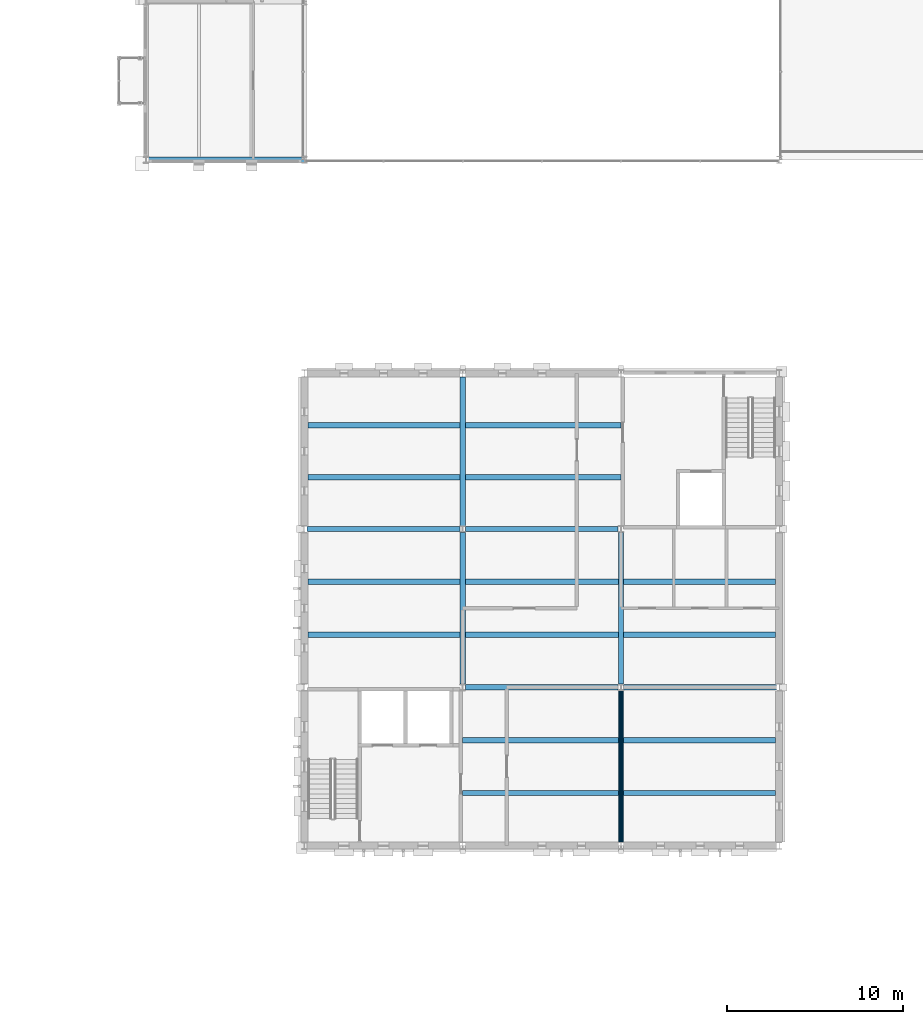
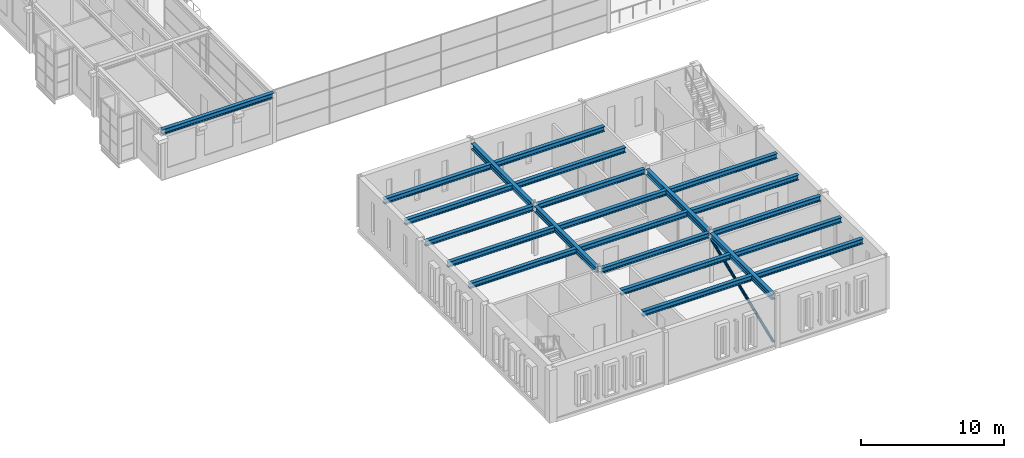
# One storey, part 19 of 111: 23 beams, 1 member.
"""IFC4 building model written with IfcOpenShell, lengths in metres."""

from ifc_helpers import new_model, si_unit, direction, frame, origin, origin_2d, place, context, subcontext, project, spatial, hollow_circle, i_section, extrude, material, material_profile, profile_set, type_object, element, save


model = new_model("IFC4")

# Units and contexts
model_context = context("Model", 3, precision=1e-05, world=origin(), true_north=direction((0.0, 1.0)))
body_context = subcontext(model_context, "Body", "Model", "MODEL_VIEW")
ifc_project = project(units=[si_unit("LENGTHUNIT", "METRE"), si_unit("AREAUNIT", "SQUARE_METRE"), si_unit("VOLUMEUNIT", "CUBIC_METRE"), si_unit("PLANEANGLEUNIT", "RADIAN"), si_unit("MASSUNIT", "GRAM", prefix="KILO")], contexts=[model_context])

# Site, building, storey
site_placement = place(None, origin())
site = spatial("IfcSite", under=ifc_project, at=site_placement, CompositionType="ELEMENT")
building_placement = place(site_placement, origin())
building = spatial("IfcBuilding", under=site, at=building_placement, Name="Kallimachos Central Library", CompositionType="ELEMENT")
storey_placement = place(building_placement, frame((0.0, 0.0, 14.39990234375)))
storey = spatial("IfcBuildingStorey", under=building, at=storey_placement, Name="L03", CompositionType="ELEMENT", Elevation=14.39990234375)

# Member
ifc_material_1 = material(Name="Steel S355J2H", Category="steel")
ifc_material_profile_1 = material_profile(ifc_material_1, hollow_circle(Radius=0.109619140625, WallThickness=0.012451171875, at=origin_2d()), Name="CHS 219.1x12.5")
ifc_profile_set_1 = profile_set([ifc_material_profile_1], Name="Steel S355J2H")
member_type = type_object("IfcMemberType", Name="CHS 219.1x12.5 brace", PredefinedType="BRACE", material=ifc_profile_set_1)
member_placement = place(storey_placement, frame((92.5, 18.199951171875, 0.150146484375), z_axis=(0.0, 0.928278728092, 0.371885201334), x_axis=(-1.0, 0.0, 0.0)))
element("IfcMember", 1, at=member_placement, inside=storey, type_object=member_type, Name="V5-MEM-L03-001", PredefinedType="BRACE", context=body_context, shape_type="SweptSolid", body=[
    extrude(hollow_circle(Radius=0.109619140625, WallThickness=0.012451171875, at=origin_2d()), origin(), (0.0, 0.0, 1.0), 9.27685546875),
])

# Beams
ifc_material_2 = material(Name="Steel S355J2", Category="steel")
ifc_material_profile_2 = material_profile(ifc_material_2, i_section(OverallWidth=0.300048828125, OverallDepth=0.43994140625, WebThickness=0.011474609375, FlangeThickness=0.02099609375, FilletRadius=0.027099609375, at=origin_2d()), Name="HEA 450")
ifc_profile_set_2 = profile_set([ifc_material_profile_2], Name="Steel S355J2")
beam_type_1 = type_object("IfcBeamType", Name="HEA 450 beam", PredefinedType="BEAM", material=ifc_profile_set_2)
beam_1_placement = place(storey_placement, frame((83.654541015625, 27.0, 4.030029296875), z_axis=(1.0, 0.0, 0.0), x_axis=(0.0, 1.0, 0.0)))
element("IfcBeam", 2, at=beam_1_placement, inside=storey, type_object=beam_type_1, Name="V5-BEM-L03-001", PredefinedType="BEAM", context=body_context, shape_type="SweptSolid", body=[
    extrude(i_section(OverallWidth=0.300048828125, OverallDepth=0.43994140625, WebThickness=0.011474609375, FlangeThickness=0.02099609375, FilletRadius=0.027099609375, at=origin_2d()), origin(), (0.0, 0.0, 1.0), 8.69091796875),
])
for number, where, z_axis, x_axis, name in (
    (3, (92.654541015625, 27.0, 4.030029296875), (1.0, 0.0, 0.0), (0.0, 1.0, 0.0), "V5-BEM-L03-002"),
    (4, (74.64990234375, 36.0, 4.030029296875), (1.0, 0.0, 0.0), (0.0, 1.0, 0.0), "V5-BEM-L03-003"),
):
    element("IfcBeam", number, at=place(storey_placement, frame(where, z_axis=z_axis, x_axis=x_axis)), inside=storey, type_object=beam_type_1, Name=name, PredefinedType="BEAM", context=body_context, shape_type="SweptSolid", body=[
        extrude(i_section(OverallWidth=0.300048828125, OverallDepth=0.43994140625, WebThickness=0.011474609375, FlangeThickness=0.02099609375, FilletRadius=0.027099609375, at=origin_2d()), origin(), (0.0, 0.0, 1.0), 8.695556640625),
    ])
beam_2_placement = place(storey_placement, frame((83.654541015625, 36.0, 4.030029296875), z_axis=(1.0, 0.0, 0.0), x_axis=(0.0, 1.0, 0.0)))
element("IfcBeam", 5, at=beam_2_placement, inside=storey, type_object=beam_type_1, Name="V5-BEM-L03-004", PredefinedType="BEAM", context=body_context, shape_type="SweptSolid", body=[
    extrude(i_section(OverallWidth=0.300048828125, OverallDepth=0.43994140625, WebThickness=0.011474609375, FlangeThickness=0.02099609375, FilletRadius=0.027099609375, at=origin_2d()), origin(), (0.0, 0.0, 1.0), 8.69091796875),
])
for number, where, z_axis, x_axis, name in (
    (6, (74.699951171875, 30.0, 4.030029296875), (1.0, 0.0, 0.0), (0.0, 1.0, 0.0), "V5-BEM-L03-009"),
    (7, (74.699951171875, 33.0, 4.030029296875), (1.0, 0.0, 0.0), (0.0, 1.0, 0.0), "V5-BEM-L03-010"),
    (8, (74.699951171875, 38.949951171875, 4.030029296875), (1.0, 0.0, 0.0), (0.0, 1.0, 0.0), "V5-BEM-L03-011"),
    (9, (74.699951171875, 41.89990234375, 4.030029296875), (1.0, 0.0, 0.0), (0.0, 1.0, 0.0), "V5-BEM-L03-012"),
):
    element("IfcBeam", number, at=place(storey_placement, frame(where, z_axis=z_axis, x_axis=x_axis)), inside=storey, type_object=beam_type_1, Name=name, PredefinedType="BEAM", context=body_context, shape_type="SweptSolid", body=[
        extrude(i_section(OverallWidth=0.300048828125, OverallDepth=0.43994140625, WebThickness=0.011474609375, FlangeThickness=0.02099609375, FilletRadius=0.027099609375, at=origin_2d()), origin(), (0.0, 0.0, 1.0), 8.650146484375),
    ])
for number, where, z_axis, x_axis, name in (
    (10, (83.5, 21.0, 4.030029296875), (1.0, 0.0, 0.0), (0.0, 1.0, 0.0), "V5-BEM-L03-013"),
    (11, (83.5, 24.0, 4.030029296875), (1.0, 0.0, 0.0), (0.0, 1.0, 0.0), "V5-BEM-L03-014"),
):
    element("IfcBeam", number, at=place(storey_placement, frame(where, z_axis=z_axis, x_axis=x_axis)), inside=storey, type_object=beam_type_1, Name=name, PredefinedType="BEAM", context=body_context, shape_type="SweptSolid", body=[
        extrude(i_section(OverallWidth=0.300048828125, OverallDepth=0.43994140625, WebThickness=0.011474609375, FlangeThickness=0.02099609375, FilletRadius=0.027099609375, at=origin_2d()), origin(), (0.0, 0.0, 1.0), 8.85009765625),
    ])
for number, where, z_axis, x_axis, name in (
    (12, (83.64990234375, 30.0, 4.030029296875), (1.0, 0.0, 0.0), (0.0, 1.0, 0.0), "V5-BEM-L03-015"),
    (13, (83.64990234375, 33.0, 4.030029296875), (1.0, 0.0, 0.0), (0.0, 1.0, 0.0), "V5-BEM-L03-016"),
):
    element("IfcBeam", number, at=place(storey_placement, frame(where, z_axis=z_axis, x_axis=x_axis)), inside=storey, type_object=beam_type_1, Name=name, PredefinedType="BEAM", context=body_context, shape_type="SweptSolid", body=[
        extrude(i_section(OverallWidth=0.300048828125, OverallDepth=0.43994140625, WebThickness=0.011474609375, FlangeThickness=0.02099609375, FilletRadius=0.027099609375, at=origin_2d()), origin(), (0.0, 0.0, 1.0), 8.7001953125),
    ])
for number, where, z_axis, x_axis, name in (
    (14, (83.64990234375, 38.949951171875, 4.030029296875), (1.0, 0.0, 0.0), (0.0, 1.0, 0.0), "V5-BEM-L03-017"),
    (15, (83.64990234375, 41.89990234375, 4.030029296875), (1.0, 0.0, 0.0), (0.0, 1.0, 0.0), "V5-BEM-L03-018"),
):
    element("IfcBeam", number, at=place(storey_placement, frame(where, z_axis=z_axis, x_axis=x_axis)), inside=storey, type_object=beam_type_1, Name=name, PredefinedType="BEAM", context=body_context, shape_type="SweptSolid", body=[
        extrude(i_section(OverallWidth=0.300048828125, OverallDepth=0.43994140625, WebThickness=0.011474609375, FlangeThickness=0.02099609375, FilletRadius=0.027099609375, at=origin_2d()), origin(), (0.0, 0.0, 1.0), 8.85009765625),
    ])
for number, where, z_axis, x_axis, name in (
    (16, (92.64990234375, 21.0, 4.030029296875), (1.0, 0.0, 0.0), (0.0, 1.0, 0.0), "V5-BEM-L03-019"),
    (17, (92.64990234375, 24.0, 4.030029296875), (1.0, 0.0, 0.0), (0.0, 1.0, 0.0), "V5-BEM-L03-020"),
    (18, (92.64990234375, 30.0, 4.030029296875), (1.0, 0.0, 0.0), (0.0, 1.0, 0.0), "V5-BEM-L03-021"),
    (19, (92.64990234375, 33.0, 4.030029296875), (1.0, 0.0, 0.0), (0.0, 1.0, 0.0), "V5-BEM-L03-022"),
):
    element("IfcBeam", number, at=place(storey_placement, frame(where, z_axis=z_axis, x_axis=x_axis)), inside=storey, type_object=beam_type_1, Name=name, PredefinedType="BEAM", context=body_context, shape_type="SweptSolid", body=[
        extrude(i_section(OverallWidth=0.300048828125, OverallDepth=0.43994140625, WebThickness=0.011474609375, FlangeThickness=0.02099609375, FilletRadius=0.027099609375, at=origin_2d()), origin(), (0.0, 0.0, 1.0), 8.650146484375),
    ])
ifc_material_3 = material(Name="Steel S355J2", Category="steel")
ifc_material_profile_3 = material_profile(ifc_material_3, i_section(OverallWidth=0.300048828125, OverallDepth=0.449951171875, WebThickness=0.013916015625, FlangeThickness=0.02587890625, FilletRadius=0.027099609375, at=origin_2d()), Name="HEB 450")
ifc_profile_set_3 = profile_set([ifc_material_profile_3], Name="Steel S355J2")
beam_type_2 = type_object("IfcBeamType", Name="HEB 450 beam", PredefinedType="BEAM", material=ifc_profile_set_3)
beam_3_placement = place(storey_placement, frame((65.5, 57.0, 4.025146484375), z_axis=(1.0, 0.0, 0.0), x_axis=(0.0, 1.0, 0.0)))
element("IfcBeam", 20, at=beam_3_placement, inside=storey, type_object=beam_type_2, Name="V4-BEM-L03-021", PredefinedType="BEAM", context=body_context, shape_type="SweptSolid", body=[
    extrude(i_section(OverallWidth=0.300048828125, OverallDepth=0.449951171875, WebThickness=0.013916015625, FlangeThickness=0.02587890625, FilletRadius=0.027099609375, at=origin_2d()), origin(), (0.0, 0.0, 1.0), 9.0),
])
ifc_material_4 = material(Name="Steel S355J2", Category="steel")
ifc_material_profile_4 = material_profile(ifc_material_4, i_section(OverallWidth=0.300048828125, OverallDepth=0.5, WebThickness=0.014404296875, FlangeThickness=0.028076171875, FilletRadius=0.027099609375, at=origin_2d()), Name="HEB 500")
ifc_profile_set_4 = profile_set([ifc_material_profile_4], Name="Steel S355J2")
beam_type_3 = type_object("IfcBeamType", Name="HEB 500 beam", PredefinedType="BEAM", material=ifc_profile_set_4)
beam_4_placement = place(storey_placement, frame((83.5, 27.1884765625, 4.0), z_axis=(0.0, 1.0, 0.0), x_axis=(-1.0, 0.0, 0.0)))
element("IfcBeam", 21, at=beam_4_placement, inside=storey, type_object=beam_type_3, Name="V5-BEM-L03-005", PredefinedType="BEAM", context=body_context, shape_type="SweptSolid", body=[
    extrude(i_section(OverallWidth=0.300048828125, OverallDepth=0.5, WebThickness=0.014404296875, FlangeThickness=0.028076171875, FilletRadius=0.027099609375, at=origin_2d()), origin(), (0.0, 0.0, 1.0), 8.623046875),
])
beam_5_placement = place(storey_placement, frame((83.5, 36.1884765625, 4.0), z_axis=(0.0, 1.0, 0.0), x_axis=(-1.0, 0.0, 0.0)))
element("IfcBeam", 22, at=beam_5_placement, inside=storey, type_object=beam_type_3, Name="V5-BEM-L03-006", PredefinedType="BEAM", context=body_context, shape_type="SweptSolid", body=[
    extrude(i_section(OverallWidth=0.300048828125, OverallDepth=0.5, WebThickness=0.014404296875, FlangeThickness=0.028076171875, FilletRadius=0.027099609375, at=origin_2d()), origin(), (0.0, 0.0, 1.0), 8.46142578125),
])
beam_6_placement = place(storey_placement, frame((92.5, 18.199951171875, 4.0), z_axis=(0.0, 1.0, 0.0), x_axis=(-1.0, 0.0, 0.0)))
element("IfcBeam", 23, at=beam_6_placement, inside=storey, type_object=beam_type_3, Name="V5-BEM-L03-007", PredefinedType="BEAM", context=body_context, shape_type="SweptSolid", body=[
    extrude(i_section(OverallWidth=0.300048828125, OverallDepth=0.5, WebThickness=0.014404296875, FlangeThickness=0.028076171875, FilletRadius=0.027099609375, at=origin_2d()), origin(), (0.0, 0.0, 1.0), 8.611572265625),
])
beam_7_placement = place(storey_placement, frame((92.5, 27.1884765625, 4.0), z_axis=(0.0, 1.0, 0.0), x_axis=(-1.0, 0.0, 0.0)))
element("IfcBeam", 24, at=beam_7_placement, inside=storey, type_object=beam_type_3, Name="V5-BEM-L03-008", PredefinedType="BEAM", context=body_context, shape_type="SweptSolid", body=[
    extrude(i_section(OverallWidth=0.300048828125, OverallDepth=0.5, WebThickness=0.014404296875, FlangeThickness=0.028076171875, FilletRadius=0.027099609375, at=origin_2d()), origin(), (0.0, 0.0, 1.0), 8.623046875),
])

save(model, "model.ifc")
